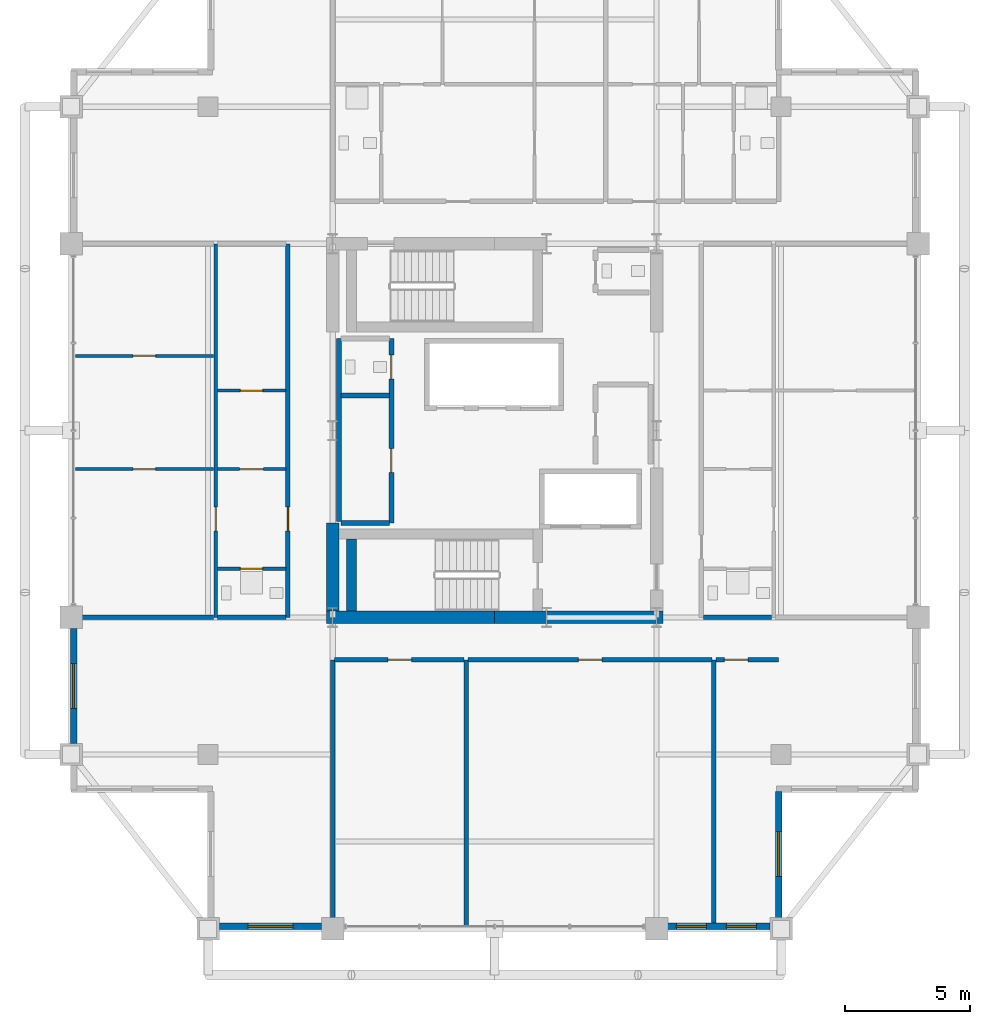
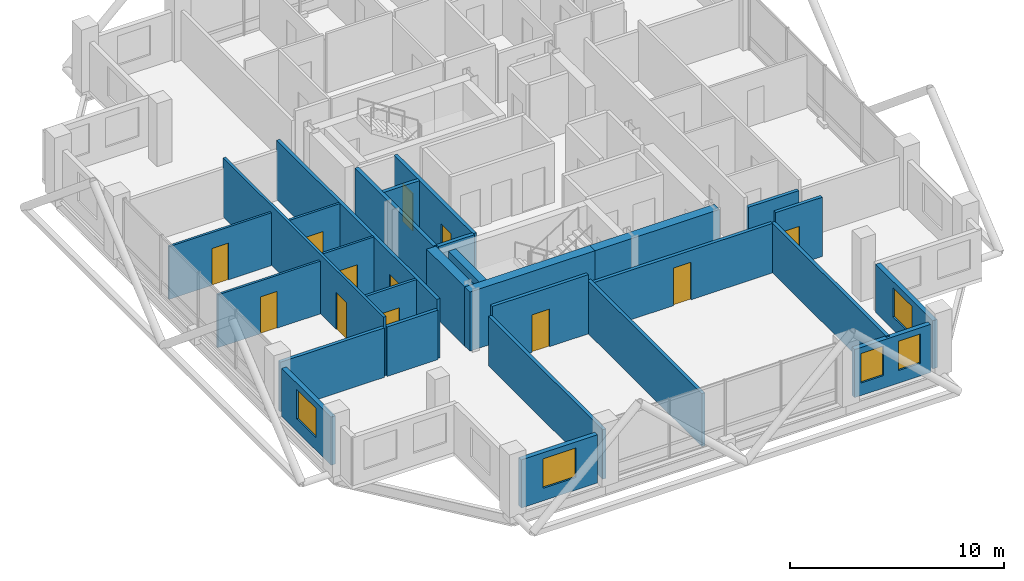
# One storey, part 19 of 24: 28 walls, 12 doors, 5 windows, 17 openings.
"""IFC4 building model written with IfcOpenShell, lengths in metres."""

from ifc_helpers import new_model, si_unit, direction, frame, frame_2d, origin, place, context, subcontext, project, spatial, rectangle, extrude, material, layer, layer_set, type_object, element, fill, save


model = new_model("IFC4")

# Units and contexts
model_context = context("Model", 3, precision=1e-05, world=origin(), true_north=direction((0.0, 1.0)))
body_context = subcontext(model_context, "Body", "Model", "MODEL_VIEW")
ifc_project = project(units=[si_unit("LENGTHUNIT", "METRE"), si_unit("AREAUNIT", "SQUARE_METRE"), si_unit("VOLUMEUNIT", "CUBIC_METRE"), si_unit("PLANEANGLEUNIT", "RADIAN"), si_unit("MASSUNIT", "GRAM", prefix="KILO")], contexts=[model_context])

# Site, building, storey
site_placement = place(None, origin())
site = spatial("IfcSite", under=ifc_project, at=site_placement, CompositionType="ELEMENT")
building_placement = place(site_placement, origin())
building = spatial("IfcBuilding", under=site, at=building_placement, Name="Barlavira Tower and Art Museum", CompositionType="ELEMENT")
storey_placement = place(building_placement, frame((0.0, 0.0, 251.10009765625)))
storey = spatial("IfcBuildingStorey", under=building, at=storey_placement, Name="L65", CompositionType="ELEMENT", Elevation=251.10009765625)

# Wall, opening, door
ifc_material_1 = material(Name="Gypsum acoustic stud partition", Category="gypsum")
ifc_layer_1 = layer(ifc_material_1, 0.1201171875, Name="Gypsum acoustic stud partition")
ifc_layer_set_1 = layer_set([ifc_layer_1], Name="Gypsum acoustic stud partition")
wall_type_1 = type_object("IfcWallType", Name="Apartment Internal Acoustic Partition 120", PredefinedType="PARTITIONING", material=ifc_layer_set_1)
wall_1_placement = place(storey_placement, frame((-16.820068359375, -1.550048828125, 0.0), z_axis=(0.0, 0.0, 1.0), x_axis=(1.0, 0.0, 0.0)))
wall_1 = element("IfcWall", 1, at=wall_1_placement, inside=storey, type_object=wall_type_1, Name="L65 Partition Wall 32", PredefinedType="PARTITIONING", context=body_context, shape_type="SweptSolid", body=[
    extrude(rectangle(XDim=5.5400390625, YDim=0.1201171875, at=frame_2d((2.77001953125, 0.0))), origin(), (0.0, 0.0, 1.0), 3.017822265625),
])
opening_1_placement = place(wall_1_placement, frame((2.31005859375, 0.0, 0.0)))
opening_1 = element("IfcOpeningElement", 2, at=opening_1_placement, cuts=wall_1, Name="Opening D-01", PredefinedType="OPENING", context=body_context, shape_type="SweptSolid", body=[
    extrude(rectangle(XDim=0.89990234375, YDim=2.10009765625, at=frame_2d((0.449951171875, 1.050048828125))), frame((0.0, 0.070068359375, 0.0), z_axis=(0.0, -1.0, 0.0), x_axis=(1.0, 0.0, 0.0)), (0.0, 0.0, 1.0), 0.14013671875),
])
ifc_material_2 = material(Name="Engineered coastal hardwood", Category="wood")
door_type_1 = type_object("IfcDoorType", Name="Internal Bedroom Timber Flush Door 900x2100", OperationType="NOTDEFINED", PredefinedType="DOOR", material=ifc_material_2)
door_1_placement = place(opening_1_placement, origin())
door_1 = element("IfcDoor", 3, at=door_1_placement, inside=storey, type_object=door_type_1, Name="Apartment W1 Bedroom 1 Door", OperationType="SINGLE_SWING_RIGHT", OverallHeight=2.10009765625, OverallWidth=0.89990234375, PredefinedType="DOOR", context=body_context, shape_type="SweptSolid", body=[
    extrude(rectangle(XDim=0.89990234375, YDim=2.10009765625, at=frame_2d((0.449951171875, 1.050048828125))), frame((0.0, 0.02490234375, 0.0), z_axis=(0.0, -1.0, 0.0), x_axis=(1.0, 0.0, 0.0)), (0.0, 0.0, 1.0), 0.050048828125),
])
fill(opening_1, door_1)

wall_2_placement = place(storey_placement, frame((-11.1201171875, -1.550048828125, 0.0), z_axis=(0.0, 0.0, 1.0), x_axis=(1.0, 0.0, 0.0)))
wall_2 = element("IfcWall", 4, at=wall_2_placement, inside=storey, type_object=wall_type_1, Name="L65 Partition Wall 33", PredefinedType="PARTITIONING", context=body_context, shape_type="SweptSolid", body=[
    extrude(rectangle(XDim=2.740234375, YDim=0.1201171875, at=frame_2d((1.3701171875, 0.0))), origin(), (0.0, 0.0, 1.0), 3.3798828125),
])
opening_2_placement = place(wall_2_placement, frame((0.885009765625, 0.0, 0.0)))
opening_2 = element("IfcOpeningElement", 5, at=opening_2_placement, cuts=wall_2, Name="Opening D-02", PredefinedType="OPENING", context=body_context, shape_type="SweptSolid", body=[
    extrude(rectangle(XDim=0.949951171875, YDim=2.10009765625, at=frame_2d((0.47509765625, 1.050048828125))), frame((0.0, 0.070068359375, 0.0), z_axis=(0.0, -1.0, 0.0), x_axis=(1.0, 0.0, 0.0)), (0.0, 0.0, 1.0), 0.14013671875),
])
door_type_2 = type_object("IfcDoorType", Name="Living and Salon Glazed-Leaf Door 950x2100", OperationType="NOTDEFINED", PredefinedType="DOOR", material=ifc_material_2)
door_2_placement = place(opening_2_placement, origin())
door_2 = element("IfcDoor", 6, at=door_2_placement, inside=storey, type_object=door_type_2, Name="Apartment W1 Kitchen Door", OperationType="SINGLE_SWING_LEFT", OverallHeight=2.10009765625, OverallWidth=0.949951171875, PredefinedType="DOOR", context=body_context, shape_type="SweptSolid", body=[
    extrude(rectangle(XDim=0.949951171875, YDim=2.10009765625, at=frame_2d((0.47509765625, 1.050048828125))), frame((0.0, 0.02490234375, 0.0), z_axis=(0.0, -1.0, 0.0), x_axis=(1.0, 0.0, 0.0)), (0.0, 0.0, 1.0), 0.050048828125),
])
fill(opening_2, door_2)

wall_3_placement = place(storey_placement, frame((-11.1201171875, 1.60009765625, 0.0), z_axis=(0.0, 0.0, 1.0), x_axis=(1.0, 0.0, 0.0)))
wall_3 = element("IfcWall", 7, at=wall_3_placement, inside=storey, type_object=wall_type_1, Name="L65 Partition Wall 36", PredefinedType="PARTITIONING", context=body_context, shape_type="SweptSolid", body=[
    extrude(rectangle(XDim=2.740234375, YDim=0.1201171875, at=frame_2d((1.3701171875, 0.0))), origin(), (0.0, 0.0, 1.0), 3.3798828125),
])
opening_3_placement = place(wall_3_placement, frame((0.909912109375, 0.0, 0.0)))
opening_3 = element("IfcOpeningElement", 8, at=opening_3_placement, cuts=wall_3, Name="Opening D-01", PredefinedType="OPENING", context=body_context, shape_type="SweptSolid", body=[
    extrude(rectangle(XDim=0.89990234375, YDim=2.10009765625, at=frame_2d((0.449951171875, 1.050048828125))), frame((0.0, 0.070068359375, 0.0), z_axis=(0.0, -1.0, 0.0), x_axis=(1.0, 0.0, 0.0)), (0.0, 0.0, 1.0), 0.14013671875),
])
door_3_placement = place(opening_3_placement, origin())
door_3 = element("IfcDoor", 9, at=door_3_placement, inside=storey, type_object=door_type_1, Name="Apartment W1 Walk-In Dressing Room Door", OperationType="SINGLE_SWING_RIGHT", OverallHeight=2.10009765625, OverallWidth=0.89990234375, PredefinedType="DOOR", context=body_context, shape_type="SweptSolid", body=[
    extrude(rectangle(XDim=0.89990234375, YDim=2.10009765625, at=frame_2d((0.449951171875, 1.050048828125))), frame((0.0, 0.02490234375, 0.0), z_axis=(0.0, -1.0, 0.0), x_axis=(1.0, 0.0, 0.0)), (0.0, 0.0, 1.0), 0.050048828125),
])
fill(opening_3, door_3)

wall_4_placement = place(storey_placement, frame((-16.820068359375, 3.0, 0.0), z_axis=(0.0, 0.0, 1.0), x_axis=(1.0, 0.0, 0.0)))
wall_4 = element("IfcWall", 10, at=wall_4_placement, inside=storey, type_object=wall_type_1, Name="L65 Partition Wall 40", PredefinedType="PARTITIONING", context=body_context, shape_type="SweptSolid", body=[
    extrude(rectangle(XDim=5.5400390625, YDim=0.1201171875, at=frame_2d((2.77001953125, 0.0))), origin(), (0.0, 0.0, 1.0), 3.017822265625),
])
opening_4_placement = place(wall_4_placement, frame((2.31005859375, 0.0, 0.0)))
opening_4 = element("IfcOpeningElement", 11, at=opening_4_placement, cuts=wall_4, Name="Opening D-01", PredefinedType="OPENING", context=body_context, shape_type="SweptSolid", body=[
    extrude(rectangle(XDim=0.89990234375, YDim=2.10009765625, at=frame_2d((0.449951171875, 1.050048828125))), frame((0.0, 0.070068359375, 0.0), z_axis=(0.0, -1.0, 0.0), x_axis=(1.0, 0.0, 0.0)), (0.0, 0.0, 1.0), 0.14013671875),
])
door_4_placement = place(opening_4_placement, origin())
door_4 = element("IfcDoor", 12, at=door_4_placement, inside=storey, type_object=door_type_1, Name="Apartment W1 Bedroom 2 Door", OperationType="SINGLE_SWING_LEFT", OverallHeight=2.10009765625, OverallWidth=0.89990234375, PredefinedType="DOOR", context=body_context, shape_type="SweptSolid", body=[
    extrude(rectangle(XDim=0.89990234375, YDim=2.10009765625, at=frame_2d((0.449951171875, 1.050048828125))), frame((0.0, 0.02490234375, 0.0), z_axis=(0.0, -1.0, 0.0), x_axis=(1.0, 0.0, 0.0)), (0.0, 0.0, 1.0), 0.050048828125),
])
fill(opening_4, door_4)

# Walls
ifc_material_3 = material(Name="Concrete C60", Category="concrete")
ifc_layer_2 = layer(ifc_material_3, 0.5, Name="Concrete C60")
ifc_layer_set_2 = layer_set([ifc_layer_2], Name="Concrete C60")
wall_type_2 = type_object("IfcWallType", Name="Core Structural Shear Wall 500 Concrete C60", PredefinedType="SHEAR", material=ifc_layer_set_2)
for number, where, z_axis, x_axis, name in (
    (13, (-6.75, -7.5, 0.0), (0.0, 0.0, 1.0), (1.0, 0.0, 0.0), "L65 Core Shear Wall CS-SW"),
    (14, (0.0, -7.5, 0.0), (0.0, 0.0, 1.0), (1.0, 0.0, 0.0), "L65 Core Shear Wall CS-SE"),
):
    element("IfcWall", number, at=place(storey_placement, frame(where, z_axis=z_axis, x_axis=x_axis)), inside=storey, type_object=wall_type_2, Name=name, PredefinedType="SHEAR", context=body_context, shape_type="SweptSolid", body=[
        extrude(rectangle(XDim=6.75, YDim=0.5, at=frame_2d((3.375, 0.0))), origin(), (0.0, 0.0, 1.0), 3.3798828125),
    ])
wall_5_placement = place(storey_placement, frame((-6.5, -7.25, 0.0), z_axis=(0.0, 0.0, 1.0), x_axis=(0.0, 1.0, 0.0)))
element("IfcWall", 15, at=wall_5_placement, inside=storey, type_object=wall_type_2, Name="L65 Core Shear Wall CS-W1", PredefinedType="SHEAR", context=body_context, shape_type="SweptSolid", body=[
    extrude(rectangle(XDim=3.550048828125, YDim=0.5, at=frame_2d((1.77490234375, 0.0))), origin(), (0.0, 0.0, 1.0), 3.3798828125),
])
ifc_material_4 = material(Name="Autoclaved aerated concrete masonry", Category="masonry")
ifc_layer_3 = layer(ifc_material_4, 0.199951171875, Name="Autoclaved aerated concrete masonry")
ifc_layer_set_3 = layer_set([ifc_layer_3], Name="Autoclaved aerated concrete masonry")
wall_type_3 = type_object("IfcWallType", Name="Fire Compartment and Shaft Wall 200", PredefinedType="SOLIDWALL", material=ifc_layer_set_3)
wall_6_placement = place(storey_placement, frame((-6.25, -3.639892578125, 0.0), z_axis=(0.0, 0.0, 1.0), x_axis=(0.0, 1.0, 0.0)))
element("IfcWall", 16, at=wall_6_placement, inside=storey, type_object=wall_type_3, Name="L65 Partition Wall 5", PredefinedType="SOLIDWALL", context=body_context, shape_type="SweptSolid", body=[
    extrude(rectangle(XDim=7.33984375, YDim=0.199951171875, at=frame_2d((3.669921875, 0.0))), origin(), (0.0, 0.0, 1.0), 3.3798828125),
])

# Wall, openings, doors
wall_7_placement = place(storey_placement, frame((-4.14990234375, -3.699951171875, 0.0), z_axis=(0.0, 0.0, 1.0), x_axis=(0.0, 1.0, 0.0)))
wall_7 = element("IfcWall", 17, at=wall_7_placement, inside=storey, type_object=wall_type_3, Name="L65 Partition Wall 7", PredefinedType="SOLIDWALL", context=body_context, shape_type="SweptSolid", body=[
    extrude(rectangle(XDim=7.39990234375, YDim=0.199951171875, at=frame_2d((3.699951171875, 0.0))), origin(), (0.0, 0.0, 1.0), 3.3798828125),
])
opening_5_placement = place(wall_7_placement, frame((2.02490234375, 0.0, 0.0)))
opening_5 = element("IfcOpeningElement", 18, at=opening_5_placement, cuts=wall_7, Name="Opening FD-60", PredefinedType="OPENING", context=body_context, shape_type="SweptSolid", body=[
    extrude(rectangle(XDim=0.949951171875, YDim=2.14990234375, at=frame_2d((0.47509765625, 1.074951171875))), frame((0.0, 0.10986328125, 0.0), z_axis=(0.0, -1.0, 0.0), x_axis=(1.0, 0.0, 0.0)), (0.0, 0.0, 1.0), 0.219970703125),
])
opening_6_placement = place(wall_7_placement, frame((5.77490234375, 0.0, 0.0)))
opening_6 = element("IfcOpeningElement", 19, at=opening_6_placement, cuts=wall_7, Name="Opening FD-60", PredefinedType="OPENING", context=body_context, shape_type="SweptSolid", body=[
    extrude(rectangle(XDim=0.949951171875, YDim=2.14990234375, at=frame_2d((0.47509765625, 1.074951171875))), frame((0.0, 0.10986328125, 0.0), z_axis=(0.0, -1.0, 0.0), x_axis=(1.0, 0.0, 0.0)), (0.0, 0.0, 1.0), 0.219970703125),
])
ifc_material_5 = material(Name="Brushed stainless steel", Category="steel")
door_type_3 = type_object("IfcDoorType", Name="Apartment Entrance and Riser Fire Door 950x2150 FD60S", OperationType="NOTDEFINED", PredefinedType="DOOR", material=ifc_material_5)
door_5_placement = place(opening_5_placement, origin())
door_5 = element("IfcDoor", 20, at=door_5_placement, inside=storey, type_object=door_type_3, Name="Reclaimed Core Resident Parcel Room Door", OperationType="SINGLE_SWING_LEFT", OverallHeight=2.14990234375, OverallWidth=0.949951171875, PredefinedType="DOOR", context=body_context, shape_type="SweptSolid", body=[
    extrude(rectangle(XDim=0.949951171875, YDim=2.14990234375, at=frame_2d((0.47509765625, 1.074951171875))), frame((0.0, 0.02490234375, 0.0), z_axis=(0.0, -1.0, 0.0), x_axis=(1.0, 0.0, 0.0)), (0.0, 0.0, 1.0), 0.050048828125),
])
fill(opening_5, door_5)
door_6_placement = place(opening_6_placement, origin())
door_6 = element("IfcDoor", 21, at=door_6_placement, inside=storey, type_object=door_type_3, Name="Reclaimed Core Accessible WC Door", OperationType="SINGLE_SWING_RIGHT", OverallHeight=2.14990234375, OverallWidth=0.949951171875, PredefinedType="DOOR", context=body_context, shape_type="SweptSolid", body=[
    extrude(rectangle(XDim=0.949951171875, YDim=2.14990234375, at=frame_2d((0.47509765625, 1.074951171875))), frame((0.0, 0.02490234375, 0.0), z_axis=(0.0, -1.0, 0.0), x_axis=(1.0, 0.0, 0.0)), (0.0, 0.0, 1.0), 0.050048828125),
])
fill(opening_6, door_6)

# Walls
for number, where, z_axis, x_axis, name in (
    (22, (-6.169921875, -3.699951171875, 0.0), (0.0, 0.0, 1.0), (1.0, 0.0, 0.0), "L65 Partition Wall 31"),
    (23, (-6.169921875, 1.39990234375, 0.0), (0.0, 0.0, 1.0), (1.0, 0.0, 0.0), "L65 Partition Wall 35"),
):
    element("IfcWall", number, at=place(storey_placement, frame(where, z_axis=z_axis, x_axis=x_axis)), inside=storey, type_object=wall_type_3, Name=name, PredefinedType="SOLIDWALL", context=body_context, shape_type="SweptSolid", body=[
        extrude(rectangle(XDim=1.93994140625, YDim=0.199951171875, at=frame_2d((0.969970703125, 0.0))), origin(), (0.0, 0.0, 1.0), 3.3798828125),
    ])

# Wall, opening, door
ifc_layer_4 = layer(ifc_material_1, 0.179931640625, Name="Gypsum acoustic stud partition")
ifc_layer_set_4 = layer_set([ifc_layer_4], Name="Gypsum acoustic stud partition")
wall_type_4 = type_object("IfcWallType", Name="Inter-Tenancy Party Partition Wall 180", PredefinedType="PARTITIONING", material=ifc_layer_set_4)
wall_8_placement = place(storey_placement, frame((-8.300048828125, -7.5, 0.0), z_axis=(0.0, 0.0, 1.0), x_axis=(0.0, 1.0, 0.0)))
wall_8 = element("IfcWall", 24, at=wall_8_placement, inside=storey, type_object=wall_type_4, Name="L65 Partition Wall 2", PredefinedType="PARTITIONING", context=body_context, shape_type="SweptSolid", body=[
    extrude(rectangle(XDim=15.0, YDim=0.179931640625, at=frame_2d((7.5, 0.0))), origin(), (0.0, 0.0, 1.0), 3.3798828125),
])
opening_7_placement = place(wall_8_placement, frame((3.47509765625, 0.0, 0.0)))
opening_7 = element("IfcOpeningElement", 25, at=opening_7_placement, cuts=wall_8, Name="Opening FD-60", PredefinedType="OPENING", context=body_context, shape_type="SweptSolid", body=[
    extrude(rectangle(XDim=0.949951171875, YDim=2.14990234375, at=frame_2d((0.47509765625, 1.074951171875))), frame((0.0, 0.10009765625, 0.0), z_axis=(0.0, -1.0, 0.0), x_axis=(1.0, 0.0, 0.0)), (0.0, 0.0, 1.0), 0.199951171875),
])
door_7_placement = place(opening_7_placement, origin())
door_7 = element("IfcDoor", 26, at=door_7_placement, inside=storey, type_object=door_type_3, Name="Apartment Entrance Hall W1 Door", OperationType="SINGLE_SWING_RIGHT", OverallHeight=2.14990234375, OverallWidth=0.949951171875, PredefinedType="DOOR", context=body_context, shape_type="SweptSolid", body=[
    extrude(rectangle(XDim=0.949951171875, YDim=2.14990234375, at=frame_2d((0.47509765625, 1.074951171875))), frame((0.0, 0.02490234375, 0.0), z_axis=(0.0, -1.0, 0.0), x_axis=(1.0, 0.0, 0.0)), (0.0, 0.0, 1.0), 0.050048828125),
])
fill(opening_7, door_7)

# Walls
wall_9_placement = place(storey_placement, frame((-6.5, -19.89990234375, 0.0), z_axis=(0.0, 0.0, 1.0), x_axis=(0.0, 1.0, 0.0)))
element("IfcWall", 27, at=wall_9_placement, inside=storey, type_object=wall_type_4, Name="L65 Partition Wall 3", PredefinedType="PARTITIONING", context=body_context, shape_type="SweptSolid", body=[
    extrude(rectangle(XDim=10.699951171875, YDim=0.179931640625, at=frame_2d((5.35009765625, 0.0))), origin(), (0.0, 0.0, 1.0), 2.825927734375),
])
wall_10_placement = place(storey_placement, frame((-1.14990234375, -19.89990234375, 0.0), z_axis=(0.0, 0.0, 1.0), x_axis=(0.0, 1.0, 0.0)))
element("IfcWall", 28, at=wall_10_placement, inside=storey, type_object=wall_type_4, Name="L65 Partition Wall 9", PredefinedType="PARTITIONING", context=body_context, shape_type="SweptSolid", body=[
    extrude(rectangle(XDim=10.699951171875, YDim=0.179931640625, at=frame_2d((5.35009765625, 0.0))), origin(), (0.0, 0.0, 1.0), 3.017822265625),
])
wall_11_placement = place(storey_placement, frame((8.800048828125, -19.89990234375, 0.0), z_axis=(0.0, 0.0, 1.0), x_axis=(0.0, 1.0, 0.0)))
element("IfcWall", 29, at=wall_11_placement, inside=storey, type_object=wall_type_4, Name="L65 Partition Wall 18", PredefinedType="PARTITIONING", context=body_context, shape_type="SweptSolid", body=[
    extrude(rectangle(XDim=10.699951171875, YDim=0.179931640625, at=frame_2d((5.35009765625, 0.0))), origin(), (0.0, 0.0, 1.0), 2.825927734375),
])

# Wall, opening, door
wall_12_placement = place(storey_placement, frame((-6.419921875, -9.199951171875, 0.0), z_axis=(0.0, 0.0, 1.0), x_axis=(1.0, 0.0, 0.0)))
wall_12 = element("IfcWall", 30, at=wall_12_placement, inside=storey, type_object=wall_type_4, Name="L65 Partition Wall 22", PredefinedType="PARTITIONING", context=body_context, shape_type="SweptSolid", body=[
    extrude(rectangle(XDim=5.18994140625, YDim=0.179931640625, at=frame_2d((2.594970703125, 0.0))), origin(), (0.0, 0.0, 1.0), 3.3798828125),
])
opening_8_placement = place(wall_12_placement, frame((2.135009765625, 0.0, 0.0)))
opening_8 = element("IfcOpeningElement", 31, at=opening_8_placement, cuts=wall_12, Name="Opening FD-60", PredefinedType="OPENING", context=body_context, shape_type="SweptSolid", body=[
    extrude(rectangle(XDim=0.949951171875, YDim=2.14990234375, at=frame_2d((0.47509765625, 1.074951171875))), frame((0.0, 0.10009765625, 0.0), z_axis=(0.0, -1.0, 0.0), x_axis=(1.0, 0.0, 0.0)), (0.0, 0.0, 1.0), 0.199951171875),
])
door_8_placement = place(opening_8_placement, origin())
door_8 = element("IfcDoor", 32, at=door_8_placement, inside=storey, type_object=door_type_3, Name="Resident Sky Coworking Studio Door", OperationType="SINGLE_SWING_LEFT", OverallHeight=2.14990234375, OverallWidth=0.949951171875, PredefinedType="DOOR", context=body_context, shape_type="SweptSolid", body=[
    extrude(rectangle(XDim=0.949951171875, YDim=2.14990234375, at=frame_2d((0.47509765625, 1.074951171875))), frame((0.0, 0.02490234375, 0.0), z_axis=(0.0, -1.0, 0.0), x_axis=(1.0, 0.0, 0.0)), (0.0, 0.0, 1.0), 0.050048828125),
])
fill(opening_8, door_8)

wall_13_placement = place(storey_placement, frame((-1.070068359375, -9.199951171875, 0.0), z_axis=(0.0, 0.0, 1.0), x_axis=(1.0, 0.0, 0.0)))
wall_13 = element("IfcWall", 33, at=wall_13_placement, inside=storey, type_object=wall_type_4, Name="L65 Partition Wall 23", PredefinedType="PARTITIONING", context=body_context, shape_type="SweptSolid", body=[
    extrude(rectangle(XDim=9.7900390625, YDim=0.179931640625, at=frame_2d((4.89501953125, 0.0))), origin(), (0.0, 0.0, 1.0), 2.825927734375),
])
opening_9_placement = place(wall_13_placement, frame((4.43505859375, 0.0, 0.0)))
opening_9 = element("IfcOpeningElement", 34, at=opening_9_placement, cuts=wall_13, Name="Opening FD-60", PredefinedType="OPENING", context=body_context, shape_type="SweptSolid", body=[
    extrude(rectangle(XDim=0.949951171875, YDim=2.14990234375, at=frame_2d((0.47509765625, 1.074951171875))), frame((0.0, 0.10009765625, 0.0), z_axis=(0.0, -1.0, 0.0), x_axis=(1.0, 0.0, 0.0)), (0.0, 0.0, 1.0), 0.199951171875),
])
door_9_placement = place(opening_9_placement, origin())
door_9 = element("IfcDoor", 35, at=door_9_placement, inside=storey, type_object=door_type_3, Name="Atlantic Horizon Boardroom Door", OperationType="SINGLE_SWING_RIGHT", OverallHeight=2.14990234375, OverallWidth=0.949951171875, PredefinedType="DOOR", context=body_context, shape_type="SweptSolid", body=[
    extrude(rectangle(XDim=0.949951171875, YDim=2.14990234375, at=frame_2d((0.47509765625, 1.074951171875))), frame((0.0, 0.02490234375, 0.0), z_axis=(0.0, -1.0, 0.0), x_axis=(1.0, 0.0, 0.0)), (0.0, 0.0, 1.0), 0.050048828125),
])
fill(opening_9, door_9)

wall_14_placement = place(storey_placement, frame((8.8798828125, -9.199951171875, 0.0), z_axis=(0.0, 0.0, 1.0), x_axis=(1.0, 0.0, 0.0)))
wall_14 = element("IfcWall", 36, at=wall_14_placement, inside=storey, type_object=wall_type_4, Name="L65 Partition Wall 24", PredefinedType="PARTITIONING", context=body_context, shape_type="SweptSolid", body=[
    extrude(rectangle(XDim=2.52001953125, YDim=0.179931640625, at=frame_2d((1.260009765625, 0.0))), origin(), (0.0, 0.0, 1.0), 3.3798828125),
])
opening_10_placement = place(wall_14_placement, frame((0.344970703125, 0.0, 0.0)))
opening_10 = element("IfcOpeningElement", 37, at=opening_10_placement, cuts=wall_14, Name="Opening FD-60", PredefinedType="OPENING", context=body_context, shape_type="SweptSolid", body=[
    extrude(rectangle(XDim=0.949951171875, YDim=2.14990234375, at=frame_2d((0.47509765625, 1.074951171875))), frame((0.0, 0.10009765625, 0.0), z_axis=(0.0, -1.0, 0.0), x_axis=(1.0, 0.0, 0.0)), (0.0, 0.0, 1.0), 0.199951171875),
])
door_10_placement = place(opening_10_placement, origin())
door_10 = element("IfcDoor", 38, at=door_10_placement, inside=storey, type_object=door_type_3, Name="Shared Coworking Espresso Pantry Door", OperationType="SINGLE_SWING_LEFT", OverallHeight=2.14990234375, OverallWidth=0.949951171875, PredefinedType="DOOR", context=body_context, shape_type="SweptSolid", body=[
    extrude(rectangle(XDim=0.949951171875, YDim=2.14990234375, at=frame_2d((0.47509765625, 1.074951171875))), frame((0.0, 0.02490234375, 0.0), z_axis=(0.0, -1.0, 0.0), x_axis=(1.0, 0.0, 0.0)), (0.0, 0.0, 1.0), 0.050048828125),
])
fill(opening_10, door_10)

# Walls
wall_15_placement = place(storey_placement, frame((-16.89990234375, -7.5, 0.0), z_axis=(0.0, 0.0, 1.0), x_axis=(1.0, 0.0, 0.0)))
element("IfcWall", 39, at=wall_15_placement, inside=storey, type_object=wall_type_4, Name="L65 Partition Wall 25", PredefinedType="PARTITIONING", context=body_context, shape_type="SweptSolid", body=[
    extrude(rectangle(XDim=5.619873046875, YDim=0.179931640625, at=frame_2d((2.81005859375, 0.0))), origin(), (0.0, 0.0, 1.0), 2.825927734375),
])
for number, where, z_axis, x_axis, name in (
    (40, (-11.1201171875, -7.5, 0.0), (0.0, 0.0, 1.0), (1.0, 0.0, 0.0), "L65 Partition Wall 26"),
    (41, (8.3798828125, -7.5, 0.0), (0.0, 0.0, 1.0), (1.0, 0.0, 0.0), "L65 Partition Wall 27"),
):
    element("IfcWall", number, at=place(storey_placement, frame(where, z_axis=z_axis, x_axis=x_axis)), inside=storey, type_object=wall_type_4, Name=name, PredefinedType="PARTITIONING", context=body_context, shape_type="SweptSolid", body=[
        extrude(rectangle(XDim=2.740234375, YDim=0.179931640625, at=frame_2d((1.3701171875, 0.0))), origin(), (0.0, 0.0, 1.0), 2.825927734375),
    ])

# Wall, opening, door
ifc_layer_5 = layer(ifc_material_1, 0.139892578125, Name="Gypsum acoustic stud partition")
ifc_layer_set_5 = layer_set([ifc_layer_5], Name="Gypsum acoustic stud partition")
wall_type_5 = type_object("IfcWallType", Name="Moisture-Resistant Bathroom Partition 140", PredefinedType="PARTITIONING", material=ifc_layer_set_5)
wall_16_placement = place(storey_placement, frame((-11.199951171875, -7.5, 0.0), z_axis=(0.0, 0.0, 1.0), x_axis=(0.0, 1.0, 0.0)))
wall_16 = element("IfcWall", 42, at=wall_16_placement, inside=storey, type_object=wall_type_5, Name="L65 Partition Wall 1", PredefinedType="PARTITIONING", context=body_context, shape_type="SweptSolid", body=[
    extrude(rectangle(XDim=15.0, YDim=0.139892578125, at=frame_2d((7.5, 0.0))), origin(), (0.0, 0.0, 1.0), 3.3798828125),
])
opening_11_placement = place(wall_16_placement, frame((3.47509765625, 0.0, 0.0)))
opening_11 = element("IfcOpeningElement", 43, at=opening_11_placement, cuts=wall_16, Name="Opening D-02", PredefinedType="OPENING", context=body_context, shape_type="SweptSolid", body=[
    extrude(rectangle(XDim=0.949951171875, YDim=2.10009765625, at=frame_2d((0.47509765625, 1.050048828125))), frame((0.0, 0.080078125, 0.0), z_axis=(0.0, -1.0, 0.0), x_axis=(1.0, 0.0, 0.0)), (0.0, 0.0, 1.0), 0.159912109375),
])
door_11_placement = place(opening_11_placement, origin())
door_11 = element("IfcDoor", 44, at=door_11_placement, inside=storey, type_object=door_type_2, Name="Apartment W1 Living Lounge Door", OperationType="SINGLE_SWING_LEFT", OverallHeight=2.10009765625, OverallWidth=0.949951171875, PredefinedType="DOOR", context=body_context, shape_type="SweptSolid", body=[
    extrude(rectangle(XDim=0.949951171875, YDim=2.10009765625, at=frame_2d((0.47509765625, 1.050048828125))), frame((0.0, 0.02490234375, 0.0), z_axis=(0.0, -1.0, 0.0), x_axis=(1.0, 0.0, 0.0)), (0.0, 0.0, 1.0), 0.050048828125),
])
fill(opening_11, door_11)

wall_17_placement = place(storey_placement, frame((-11.1201171875, -5.550048828125, 0.0), z_axis=(0.0, 0.0, 1.0), x_axis=(1.0, 0.0, 0.0)))
wall_17 = element("IfcWall", 45, at=wall_17_placement, inside=storey, type_object=wall_type_5, Name="L65 Partition Wall 29", PredefinedType="PARTITIONING", context=body_context, shape_type="SweptSolid", body=[
    extrude(rectangle(XDim=2.740234375, YDim=0.139892578125, at=frame_2d((1.3701171875, 0.0))), origin(), (0.0, 0.0, 1.0), 3.3798828125),
])
opening_12_placement = place(wall_17_placement, frame((0.909912109375, 0.0, 0.0)))
opening_12 = element("IfcOpeningElement", 46, at=opening_12_placement, cuts=wall_17, Name="Opening D-WC", PredefinedType="OPENING", context=body_context, shape_type="SweptSolid", body=[
    extrude(rectangle(XDim=0.89990234375, YDim=2.10009765625, at=frame_2d((0.449951171875, 1.050048828125))), frame((0.0, 0.080078125, 0.0), z_axis=(0.0, -1.0, 0.0), x_axis=(1.0, 0.0, 0.0)), (0.0, 0.0, 1.0), 0.159912109375),
])
door_type_4 = type_object("IfcDoorType", Name="Accessible Bathroom Flush Door 900x2100", OperationType="NOTDEFINED", PredefinedType="DOOR", material=ifc_material_2)
door_12_placement = place(opening_12_placement, origin())
door_12 = element("IfcDoor", 47, at=door_12_placement, inside=storey, type_object=door_type_4, Name="Apartment W1 Hall Bathroom Door", OperationType="SINGLE_SWING_LEFT", OverallHeight=2.10009765625, OverallWidth=0.89990234375, PredefinedType="DOOR", context=body_context, shape_type="SweptSolid", body=[
    extrude(rectangle(XDim=0.89990234375, YDim=2.10009765625, at=frame_2d((0.449951171875, 1.050048828125))), frame((0.0, 0.02490234375, 0.0), z_axis=(0.0, -1.0, 0.0), x_axis=(1.0, 0.0, 0.0)), (0.0, 0.0, 1.0), 0.050048828125),
])
fill(opening_12, door_12)

# Wall, opening, window
ifc_material_6 = material(Name="Precast concrete C40", Category="concrete")
ifc_layer_6 = layer(ifc_material_6, 0.25, Name="Precast concrete C40")
ifc_layer_set_6 = layer_set([ifc_layer_6], Name="Precast concrete C40")
wall_type_6 = type_object("IfcWallType", Name="Notched Corner Spandrel Wall 250 Precast Concrete C40", PredefinedType="SOLIDWALL", material=ifc_layer_set_6)
wall_18_placement = place(storey_placement, frame((-11.054931640625, -19.89990234375, 0.0), z_axis=(0.0, 0.0, 1.0), x_axis=(1.0, 0.0, 0.0)))
wall_18 = element("IfcWall", 48, at=wall_18_placement, inside=storey, type_object=wall_type_6, Name="L65 Coastal Facade Pier Wall CW4-L65-S-1", PredefinedType="SOLIDWALL", context=body_context, shape_type="SweptSolid", body=[
    extrude(rectangle(XDim=4.10986328125, YDim=0.25, at=frame_2d((2.054931640625, 0.0))), origin(), (0.0, 0.0, 1.0), 2.747802734375),
])
opening_13_placement = place(wall_18_placement, frame((1.155029296875, 0.0, 0.719970703125)))
opening_13 = element("IfcOpeningElement", 49, at=opening_13_placement, cuts=wall_18, Name="Opening WN-01", PredefinedType="OPENING", context=body_context, shape_type="SweptSolid", body=[
    extrude(rectangle(XDim=1.800048828125, YDim=1.679931640625, at=frame_2d((0.89990234375, 0.83984375))), frame((0.0, 0.135009765625, 0.0), z_axis=(0.0, -1.0, 0.0), x_axis=(1.0, 0.0, 0.0)), (0.0, 0.0, 1.0), 0.27001953125),
])
ifc_material_7 = material(Name="Low-iron coastal laminated glass", Category="glass")
window_type_1 = type_object("IfcWindowType", Name="Recessed Notch Corner Punch Window 1800x1680", PartitioningType="SINGLE_PANEL", PredefinedType="WINDOW", material=ifc_material_7)
window_1_placement = place(opening_13_placement, origin())
window_1 = element("IfcWindow", 50, at=window_1_placement, inside=storey, type_object=window_type_1, Name="L65 Punched Facade Window EWP-CW4-L65-S-1-1", OverallHeight=1.679931640625, OverallWidth=1.800048828125, PartitioningType="SINGLE_PANEL", PredefinedType="WINDOW", context=body_context, shape_type="SweptSolid", body=[
    extrude(rectangle(XDim=1.800048828125, YDim=1.679931640625, at=frame_2d((0.89990234375, 0.83984375))), frame((0.0, 0.030029296875, 0.0), z_axis=(0.0, -1.0, 0.0), x_axis=(1.0, 0.0, 0.0)), (0.0, 0.0, 1.0), 0.06005859375),
])
fill(opening_13, window_1)

# Wall, openings, windows
wall_19_placement = place(storey_placement, frame((6.945068359375, -19.89990234375, 0.0), z_axis=(0.0, 0.0, 1.0), x_axis=(1.0, 0.0, 0.0)))
wall_19 = element("IfcWall", 51, at=wall_19_placement, inside=storey, type_object=wall_type_6, Name="L65 Coastal Facade Pier Wall CW4-L65-S-3", PredefinedType="SOLIDWALL", context=body_context, shape_type="SweptSolid", body=[
    extrude(rectangle(XDim=4.10986328125, YDim=0.25, at=frame_2d((2.054931640625, 0.0))), origin(), (0.0, 0.0, 1.0), 2.747802734375),
])
opening_14_placement = place(wall_19_placement, frame((0.35009765625, 0.0, 0.719970703125)))
opening_14 = element("IfcOpeningElement", 52, at=opening_14_placement, cuts=wall_19, Name="Opening WN-05", PredefinedType="OPENING", context=body_context, shape_type="SweptSolid", body=[
    extrude(rectangle(XDim=1.199951171875, YDim=1.679931640625, at=frame_2d((0.60009765625, 0.83984375))), frame((0.0, 0.135009765625, 0.0), z_axis=(0.0, -1.0, 0.0), x_axis=(1.0, 0.0, 0.0)), (0.0, 0.0, 1.0), 0.27001953125),
])
opening_15_placement = place(wall_19_placement, frame((2.360107421875, 0.0, 0.719970703125)))
opening_15 = element("IfcOpeningElement", 53, at=opening_15_placement, cuts=wall_19, Name="Opening WN-05", PredefinedType="OPENING", context=body_context, shape_type="SweptSolid", body=[
    extrude(rectangle(XDim=1.199951171875, YDim=1.679931640625, at=frame_2d((0.60009765625, 0.83984375))), frame((0.0, 0.135009765625, 0.0), z_axis=(0.0, -1.0, 0.0), x_axis=(1.0, 0.0, 0.0)), (0.0, 0.0, 1.0), 0.27001953125),
])
window_type_2 = type_object("IfcWindowType", Name="Recessed Flank Pier Punch Window 1200x1680", PartitioningType="SINGLE_PANEL", PredefinedType="WINDOW", material=ifc_material_7)
window_2_placement = place(opening_14_placement, origin())
window_2 = element("IfcWindow", 54, at=window_2_placement, inside=storey, type_object=window_type_2, Name="L65 Punched Facade Window EWP-CW4-L65-S-3-1", OverallHeight=1.679931640625, OverallWidth=1.199951171875, PartitioningType="SINGLE_PANEL", PredefinedType="WINDOW", context=body_context, shape_type="SweptSolid", body=[
    extrude(rectangle(XDim=1.199951171875, YDim=1.679931640625, at=frame_2d((0.60009765625, 0.83984375))), frame((0.0, 0.030029296875, 0.0), z_axis=(0.0, -1.0, 0.0), x_axis=(1.0, 0.0, 0.0)), (0.0, 0.0, 1.0), 0.06005859375),
])
fill(opening_14, window_2)
window_3_placement = place(opening_15_placement, origin())
window_3 = element("IfcWindow", 55, at=window_3_placement, inside=storey, type_object=window_type_2, Name="L65 Punched Facade Window EWP-CW4-L65-S-3-2", OverallHeight=1.679931640625, OverallWidth=1.199951171875, PartitioningType="SINGLE_PANEL", PredefinedType="WINDOW", context=body_context, shape_type="SweptSolid", body=[
    extrude(rectangle(XDim=1.199951171875, YDim=1.679931640625, at=frame_2d((0.60009765625, 0.83984375))), frame((0.0, 0.030029296875, 0.0), z_axis=(0.0, -1.0, 0.0), x_axis=(1.0, 0.0, 0.0)), (0.0, 0.0, 1.0), 0.06005859375),
])
fill(opening_15, window_3)

# Wall, opening, window
wall_20_placement = place(storey_placement, frame((-16.89990234375, -7.945068359375, 0.0), z_axis=(0.0, 0.0, 1.0), x_axis=(0.0, -1.0, 0.0)))
wall_20 = element("IfcWall", 56, at=wall_20_placement, inside=storey, type_object=wall_type_6, Name="L65 Coastal Facade Pier Wall CW4-L65-W-4", PredefinedType="SOLIDWALL", context=body_context, shape_type="SweptSolid", body=[
    extrude(rectangle(XDim=4.60986328125, YDim=0.25, at=frame_2d((2.304931640625, 0.0))), origin(), (0.0, 0.0, 1.0), 2.747802734375),
])
opening_16_placement = place(wall_20_placement, frame((1.405029296875, 0.0, 0.719970703125)))
opening_16 = element("IfcOpeningElement", 57, at=opening_16_placement, cuts=wall_20, Name="Opening WN-01", PredefinedType="OPENING", context=body_context, shape_type="SweptSolid", body=[
    extrude(rectangle(XDim=1.800048828125, YDim=1.679931640625, at=frame_2d((0.89990234375, 0.83984375))), frame((0.0, 0.135009765625, 0.0), z_axis=(0.0, -1.0, 0.0), x_axis=(1.0, 0.0, 0.0)), (0.0, 0.0, 1.0), 0.27001953125),
])
window_4_placement = place(opening_16_placement, origin())
window_4 = element("IfcWindow", 58, at=window_4_placement, inside=storey, type_object=window_type_1, Name="L65 Punched Facade Window EWP-CW4-L65-W-4-1", OverallHeight=1.679931640625, OverallWidth=1.800048828125, PartitioningType="SINGLE_PANEL", PredefinedType="WINDOW", context=body_context, shape_type="SweptSolid", body=[
    extrude(rectangle(XDim=1.800048828125, YDim=1.679931640625, at=frame_2d((0.89990234375, 0.83984375))), frame((0.0, 0.030029296875, 0.0), z_axis=(0.0, -1.0, 0.0), x_axis=(1.0, 0.0, 0.0)), (0.0, 0.0, 1.0), 0.06005859375),
])
fill(opening_16, window_4)

wall_21_placement = place(storey_placement, frame((11.39990234375, -19.820068359375, 0.0), z_axis=(0.0, 0.0, 1.0), x_axis=(0.0, 1.0, 0.0)))
wall_21 = element("IfcWall", 59, at=wall_21_placement, inside=storey, type_object=wall_type_6, Name="L65 Notch Corner Wall SE1", PredefinedType="SOLIDWALL", context=body_context, shape_type="SweptSolid", body=[
    extrude(rectangle(XDim=5.340087890625, YDim=0.25, at=frame_2d((2.669921875, 0.0))), origin(), (0.0, 0.0, 1.0), 2.747802734375),
])
opening_17_placement = place(wall_21_placement, frame((1.925048828125, 0.0, 0.719970703125)))
opening_17 = element("IfcOpeningElement", 60, at=opening_17_placement, cuts=wall_21, Name="Opening WN-01", PredefinedType="OPENING", context=body_context, shape_type="SweptSolid", body=[
    extrude(rectangle(XDim=1.800048828125, YDim=1.679931640625, at=frame_2d((0.89990234375, 0.83984375))), frame((0.0, 0.135009765625, 0.0), z_axis=(0.0, -1.0, 0.0), x_axis=(1.0, 0.0, 0.0)), (0.0, 0.0, 1.0), 0.27001953125),
])
window_5_placement = place(opening_17_placement, origin())
window_5 = element("IfcWindow", 61, at=window_5_placement, inside=storey, type_object=window_type_1, Name="L65 Punched Facade Window EW-NTC-L65-SE1-1", OverallHeight=1.679931640625, OverallWidth=1.800048828125, PartitioningType="SINGLE_PANEL", PredefinedType="WINDOW", context=body_context, shape_type="SweptSolid", body=[
    extrude(rectangle(XDim=1.800048828125, YDim=1.679931640625, at=frame_2d((0.89990234375, 0.83984375))), frame((0.0, 0.030029296875, 0.0), z_axis=(0.0, -1.0, 0.0), x_axis=(1.0, 0.0, 0.0)), (0.0, 0.0, 1.0), 0.06005859375),
])
fill(opening_17, window_5)

# Wall
ifc_material_8 = material(Name="Concrete C55", Category="concrete")
ifc_layer_7 = layer(ifc_material_8, 0.39990234375, Name="Concrete C55")
ifc_layer_set_7 = layer_set([ifc_layer_7], Name="Concrete C55")
wall_type_7 = type_object("IfcWallType", Name="Upper Core Shear Wall 400 Concrete C55", PredefinedType="SHEAR", material=ifc_layer_set_7)
wall_22_placement = place(storey_placement, frame((-5.75, -7.25, 0.0), z_axis=(0.0, 0.0, 1.0), x_axis=(0.0, 1.0, 0.0)))
element("IfcWall", 62, at=wall_22_placement, inside=storey, type_object=wall_type_7, Name="L65 ST-T1 West Half-Landing Wall", PredefinedType="SHEAR", context=body_context, shape_type="SweptSolid", body=[
    extrude(rectangle(XDim=2.89990234375, YDim=0.39990234375, at=frame_2d((1.449951171875, 0.0))), origin(), (0.0, 0.0, 1.0), 3.3798828125),
])

save(model, "model.ifc")
